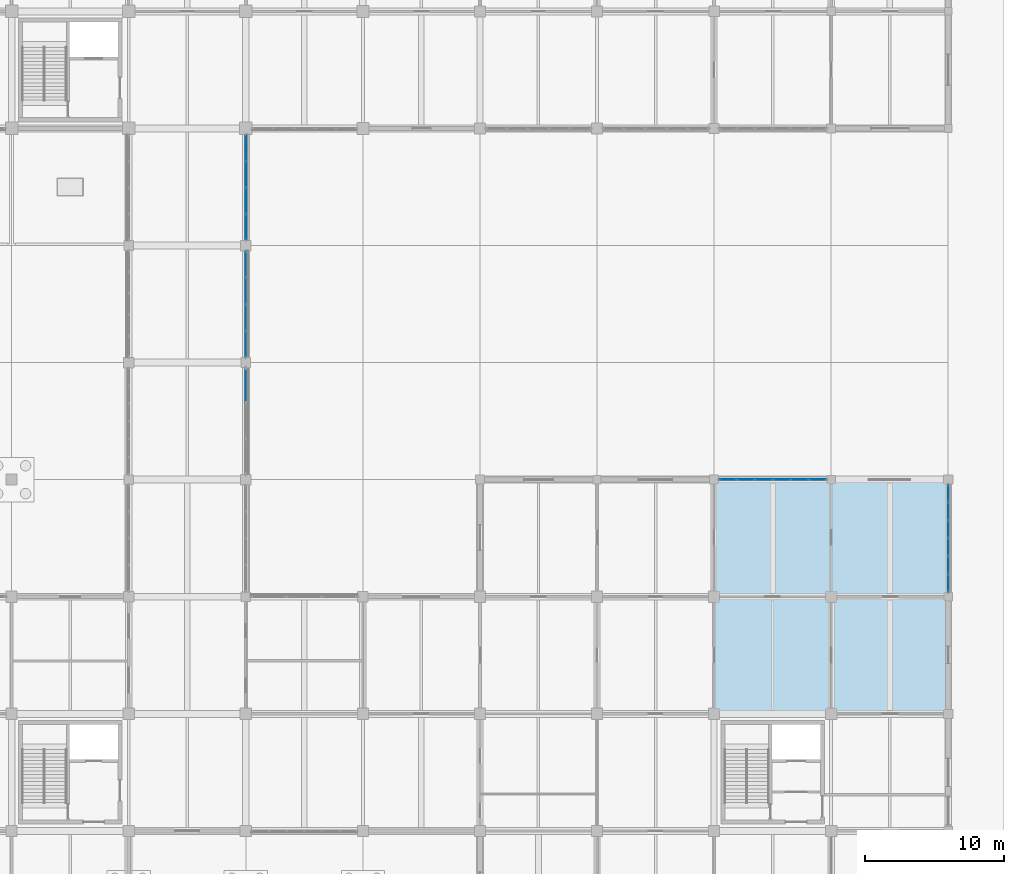
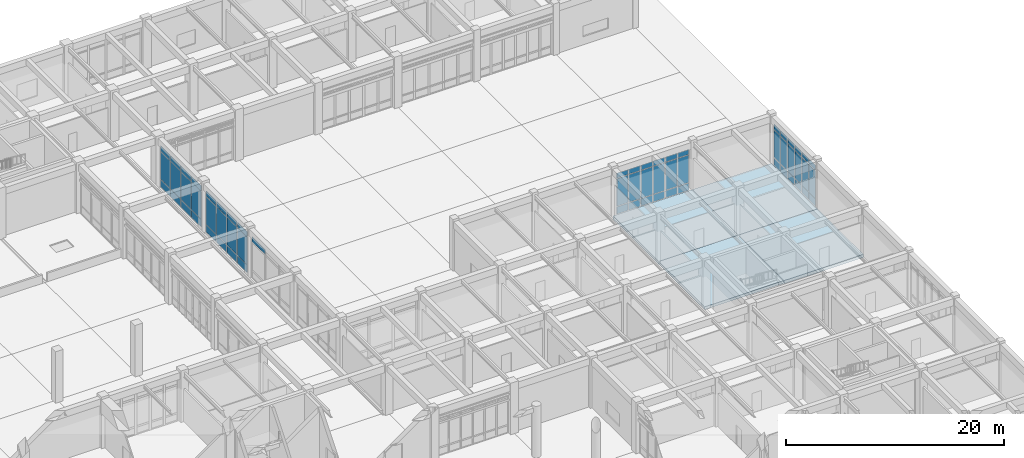
# One storey, part 62 of 91: 61 plates, 4 slabs, 5 elements without a shape of their own.
"""IFC4 building model written with IfcOpenShell, lengths in metres."""

from ifc_helpers import new_model, si_unit, direction, frame, origin, origin_2d, place, context, subcontext, project, spatial, polyline, rectangle, outline, extrude, material, layer, layer_set, type_object, element, aggregate, save


model = new_model("IFC4")

# Units and contexts
model_context = context("Model", 3, precision=1e-05, world=origin(), true_north=direction((0.0, 1.0)))
body_context = subcontext(model_context, "Body", "Model", "MODEL_VIEW")
ifc_project = project(units=[si_unit("LENGTHUNIT", "METRE"), si_unit("AREAUNIT", "SQUARE_METRE"), si_unit("VOLUMEUNIT", "CUBIC_METRE"), si_unit("PLANEANGLEUNIT", "RADIAN"), si_unit("MASSUNIT", "GRAM", prefix="KILO")], contexts=[model_context])

# Site, building, storey
site_placement = place(None, origin())
site = spatial("IfcSite", under=ifc_project, at=site_placement, CompositionType="ELEMENT")
building_placement = place(site_placement, origin())
building = spatial("IfcBuilding", under=site, at=building_placement, Name="Porcellanite Civic Hall", CompositionType="ELEMENT")
storey_placement = place(building_placement, origin())
storey = spatial("IfcBuildingStorey", under=building, at=storey_placement, Name="L00", CompositionType="ELEMENT", Elevation=0.0)

# Curtain wall, plate
ifc_material_1 = material(Name="Anodised aluminium and solar laminated glass", Category="aluminium")
ifc_layer_1 = layer(ifc_material_1, 0.179931640625)
ifc_layer_set_1 = layer_set([ifc_layer_1], Name="Anodised aluminium and solar laminated glass")
curtain_wall_type_1 = type_object("IfcCurtainWallType", Name="CW-SYS08", PredefinedType="NOTDEFINED", material=ifc_layer_set_1)
curtain_wall_1_placement = place(storey_placement, origin())
curtain_wall_1 = element("IfcCurtainWall", 1, at=curtain_wall_1_placement, inside=storey, type_object=curtain_wall_type_1, Name="Curtain wall CW-040", PredefinedType="NOTDEFINED")
ifc_material_2 = material(Name="Cyclone laminated solar-control low-E glass", Category="glass")
ifc_layer_2 = layer(ifc_material_2, 0.02392578125)
ifc_layer_set_2 = layer_set([ifc_layer_2], Name="Cyclone laminated solar-control low-E glass")
plate_type_1 = type_object("IfcPlateType", Name="CWP-01", PredefinedType="CURTAIN_PANEL", material=ifc_layer_set_2)
plate_1_placement = place(storey_placement, frame((126.0, 82.35009765625, 4.0849609375), z_axis=(0.0, 0.0, 1.0), x_axis=(0.0, -1.0, 0.0)))
plate_1 = element("IfcPlate", 2, at=plate_1_placement, type_object=plate_type_1, Name="CW-040 panel 1.3", PredefinedType="CURTAIN_PANEL", context=body_context, shape_type="SweptSolid", body=[
    extrude(rectangle(XDim=2.437744140625, YDim=0.02392578125, at=origin_2d()), origin(), (0.0, 0.0, 1.0), 0.544921875),
])
aggregate(curtain_wall_1, [plate_1])

# Curtain wall, plates
ifc_material_3 = material(Name="Anodised aluminium and solar laminated glass", Category="aluminium")
ifc_layer_3 = layer(ifc_material_3, 0.179931640625)
ifc_layer_set_3 = layer_set([ifc_layer_3], Name="Anodised aluminium and solar laminated glass")
curtain_wall_type_2 = type_object("IfcCurtainWallType", Name="CW-SYS02", PredefinedType="NOTDEFINED", material=ifc_layer_set_3)
curtain_wall_2_placement = place(storey_placement, origin())
curtain_wall_2 = element("IfcCurtainWall", 3, at=curtain_wall_2_placement, inside=storey, type_object=curtain_wall_type_2, Name="Curtain wall CW-054", PredefinedType="NOTDEFINED")
ifc_material_4 = material(Name="Cyclone laminated solar-control low-E glass", Category="glass")
ifc_layer_4 = layer(ifc_material_4, 0.02587890625)
ifc_layer_set_4 = layer_set([ifc_layer_4], Name="Cyclone laminated solar-control low-E glass")
plate_type_2 = type_object("IfcPlateType", Name="CWP-02", PredefinedType="CURTAIN_PANEL", material=ifc_layer_set_4)
plate_2_placement = place(storey_placement, frame((160.592529296875, 75.60009765625, 0.06494140625), z_axis=(0.0, 0.0, 1.0), x_axis=(1.0, 0.0, 0.0)))
plate_2 = element("IfcPlate", 4, at=plate_2_placement, type_object=plate_type_2, Name="CW-054 panel 1.1", PredefinedType="CURTAIN_PANEL", context=body_context, shape_type="SweptSolid", body=[
    extrude(rectangle(XDim=1.18310546875, YDim=0.02587890625, at=origin_2d()), origin(), (0.0, 0.0, 1.0), 0.802490234375),
])
plate_3_placement = place(storey_placement, frame((160.592529296875, 75.60009765625, 0.9326171875), z_axis=(0.0, 0.0, 1.0), x_axis=(1.0, 0.0, 0.0)))
plate_3 = element("IfcPlate", 5, at=plate_3_placement, type_object=plate_type_2, Name="CW-054 panel 1.2", PredefinedType="CURTAIN_PANEL", context=body_context, shape_type="SweptSolid", body=[
    extrude(rectangle(XDim=1.18310546875, YDim=0.02587890625, at=origin_2d()), origin(), (0.0, 0.0, 1.0), 3.0849609375),
])
plate_4_placement = place(storey_placement, frame((160.592529296875, 75.60009765625, 4.08251953125), z_axis=(0.0, 0.0, 1.0), x_axis=(1.0, 0.0, 0.0)))
plate_4 = element("IfcPlate", 6, at=plate_4_placement, type_object=plate_type_2, Name="CW-054 panel 1.3", PredefinedType="CURTAIN_PANEL", context=body_context, shape_type="SweptSolid", body=[
    extrude(rectangle(XDim=1.18310546875, YDim=0.02587890625, at=origin_2d()), origin(), (0.0, 0.0, 1.0), 0.552490234375),
])
plate_5_placement = place(storey_placement, frame((161.869140625, 75.60009765625, 0.06494140625), z_axis=(0.0, 0.0, 1.0), x_axis=(1.0, 0.0, 0.0)))
plate_5 = element("IfcPlate", 7, at=plate_5_placement, type_object=plate_type_2, Name="CW-054 panel 2.1", PredefinedType="CURTAIN_PANEL", context=body_context, shape_type="SweptSolid", body=[
    extrude(rectangle(XDim=1.220458984375, YDim=0.02587890625, at=origin_2d()), origin(), (0.0, 0.0, 1.0), 0.802490234375),
])
plate_6_placement = place(storey_placement, frame((161.869140625, 75.60009765625, 0.9326171875), z_axis=(0.0, 0.0, 1.0), x_axis=(1.0, 0.0, 0.0)))
plate_6 = element("IfcPlate", 8, at=plate_6_placement, type_object=plate_type_2, Name="CW-054 panel 2.2", PredefinedType="CURTAIN_PANEL", context=body_context, shape_type="SweptSolid", body=[
    extrude(rectangle(XDim=1.220458984375, YDim=0.02587890625, at=origin_2d()), origin(), (0.0, 0.0, 1.0), 3.0849609375),
])
plate_7_placement = place(storey_placement, frame((161.869140625, 75.60009765625, 4.08251953125), z_axis=(0.0, 0.0, 1.0), x_axis=(1.0, 0.0, 0.0)))
plate_7 = element("IfcPlate", 9, at=plate_7_placement, type_object=plate_type_2, Name="CW-054 panel 2.3", PredefinedType="CURTAIN_PANEL", context=body_context, shape_type="SweptSolid", body=[
    extrude(rectangle(XDim=1.220458984375, YDim=0.02587890625, at=origin_2d()), origin(), (0.0, 0.0, 1.0), 0.552490234375),
])
plate_8_placement = place(storey_placement, frame((163.164794921875, 75.60009765625, 0.06494140625), z_axis=(0.0, 0.0, 1.0), x_axis=(1.0, 0.0, 0.0)))
plate_8 = element("IfcPlate", 10, at=plate_8_placement, type_object=plate_type_2, Name="CW-054 panel 3.1", PredefinedType="CURTAIN_PANEL", context=body_context, shape_type="SweptSolid", body=[
    extrude(rectangle(XDim=1.220458984375, YDim=0.02587890625, at=origin_2d()), origin(), (0.0, 0.0, 1.0), 0.802490234375),
])
plate_9_placement = place(storey_placement, frame((163.164794921875, 75.60009765625, 0.9326171875), z_axis=(0.0, 0.0, 1.0), x_axis=(1.0, 0.0, 0.0)))
plate_9 = element("IfcPlate", 11, at=plate_9_placement, type_object=plate_type_2, Name="CW-054 panel 3.2", PredefinedType="CURTAIN_PANEL", context=body_context, shape_type="SweptSolid", body=[
    extrude(rectangle(XDim=1.220458984375, YDim=0.02587890625, at=origin_2d()), origin(), (0.0, 0.0, 1.0), 3.0849609375),
])
plate_10_placement = place(storey_placement, frame((163.164794921875, 75.60009765625, 4.08251953125), z_axis=(0.0, 0.0, 1.0), x_axis=(1.0, 0.0, 0.0)))
plate_10 = element("IfcPlate", 12, at=plate_10_placement, type_object=plate_type_2, Name="CW-054 panel 3.3", PredefinedType="CURTAIN_PANEL", context=body_context, shape_type="SweptSolid", body=[
    extrude(rectangle(XDim=1.220458984375, YDim=0.02587890625, at=origin_2d()), origin(), (0.0, 0.0, 1.0), 0.552490234375),
])
plate_11_placement = place(storey_placement, frame((164.460205078125, 75.60009765625, 0.06494140625), z_axis=(0.0, 0.0, 1.0), x_axis=(1.0, 0.0, 0.0)))
plate_11 = element("IfcPlate", 13, at=plate_11_placement, type_object=plate_type_2, Name="CW-054 panel 4.1", PredefinedType="CURTAIN_PANEL", context=body_context, shape_type="SweptSolid", body=[
    extrude(rectangle(XDim=1.220458984375, YDim=0.02587890625, at=origin_2d()), origin(), (0.0, 0.0, 1.0), 0.802490234375),
])
plate_12_placement = place(storey_placement, frame((164.460205078125, 75.60009765625, 0.9326171875), z_axis=(0.0, 0.0, 1.0), x_axis=(1.0, 0.0, 0.0)))
plate_12 = element("IfcPlate", 14, at=plate_12_placement, type_object=plate_type_2, Name="CW-054 panel 4.2", PredefinedType="CURTAIN_PANEL", context=body_context, shape_type="SweptSolid", body=[
    extrude(rectangle(XDim=1.220458984375, YDim=0.02587890625, at=origin_2d()), origin(), (0.0, 0.0, 1.0), 3.0849609375),
])
plate_13_placement = place(storey_placement, frame((164.460205078125, 75.60009765625, 4.08251953125), z_axis=(0.0, 0.0, 1.0), x_axis=(1.0, 0.0, 0.0)))
plate_13 = element("IfcPlate", 15, at=plate_13_placement, type_object=plate_type_2, Name="CW-054 panel 4.3", PredefinedType="CURTAIN_PANEL", context=body_context, shape_type="SweptSolid", body=[
    extrude(rectangle(XDim=1.220458984375, YDim=0.02587890625, at=origin_2d()), origin(), (0.0, 0.0, 1.0), 0.552490234375),
])
plate_14_placement = place(storey_placement, frame((165.755859375, 75.60009765625, 0.06494140625), z_axis=(0.0, 0.0, 1.0), x_axis=(1.0, 0.0, 0.0)))
plate_14 = element("IfcPlate", 16, at=plate_14_placement, type_object=plate_type_2, Name="CW-054 panel 5.1", PredefinedType="CURTAIN_PANEL", context=body_context, shape_type="SweptSolid", body=[
    extrude(rectangle(XDim=1.220458984375, YDim=0.02587890625, at=origin_2d()), origin(), (0.0, 0.0, 1.0), 0.802490234375),
])
plate_15_placement = place(storey_placement, frame((165.755859375, 75.60009765625, 0.9326171875), z_axis=(0.0, 0.0, 1.0), x_axis=(1.0, 0.0, 0.0)))
plate_15 = element("IfcPlate", 17, at=plate_15_placement, type_object=plate_type_2, Name="CW-054 panel 5.2", PredefinedType="CURTAIN_PANEL", context=body_context, shape_type="SweptSolid", body=[
    extrude(rectangle(XDim=1.220458984375, YDim=0.02587890625, at=origin_2d()), origin(), (0.0, 0.0, 1.0), 3.0849609375),
])
plate_16_placement = place(storey_placement, frame((165.755859375, 75.60009765625, 4.08251953125), z_axis=(0.0, 0.0, 1.0), x_axis=(1.0, 0.0, 0.0)))
plate_16 = element("IfcPlate", 18, at=plate_16_placement, type_object=plate_type_2, Name="CW-054 panel 5.3", PredefinedType="CURTAIN_PANEL", context=body_context, shape_type="SweptSolid", body=[
    extrude(rectangle(XDim=1.220458984375, YDim=0.02587890625, at=origin_2d()), origin(), (0.0, 0.0, 1.0), 0.552490234375),
])
plate_17_placement = place(storey_placement, frame((167.032470703125, 75.60009765625, 0.06494140625), z_axis=(0.0, 0.0, 1.0), x_axis=(1.0, 0.0, 0.0)))
plate_17 = element("IfcPlate", 19, at=plate_17_placement, type_object=plate_type_2, Name="CW-054 panel 6.1", PredefinedType="CURTAIN_PANEL", context=body_context, shape_type="SweptSolid", body=[
    extrude(rectangle(XDim=1.18310546875, YDim=0.02587890625, at=origin_2d()), origin(), (0.0, 0.0, 1.0), 0.802490234375),
])
plate_18_placement = place(storey_placement, frame((167.032470703125, 75.60009765625, 0.9326171875), z_axis=(0.0, 0.0, 1.0), x_axis=(1.0, 0.0, 0.0)))
plate_18 = element("IfcPlate", 20, at=plate_18_placement, type_object=plate_type_2, Name="CW-054 panel 6.2", PredefinedType="CURTAIN_PANEL", context=body_context, shape_type="SweptSolid", body=[
    extrude(rectangle(XDim=1.18310546875, YDim=0.02587890625, at=origin_2d()), origin(), (0.0, 0.0, 1.0), 3.0849609375),
])
plate_19_placement = place(storey_placement, frame((167.032470703125, 75.60009765625, 4.08251953125), z_axis=(0.0, 0.0, 1.0), x_axis=(1.0, 0.0, 0.0)))
plate_19 = element("IfcPlate", 21, at=plate_19_placement, type_object=plate_type_2, Name="CW-054 panel 6.3", PredefinedType="CURTAIN_PANEL", context=body_context, shape_type="SweptSolid", body=[
    extrude(rectangle(XDim=1.18310546875, YDim=0.02587890625, at=origin_2d()), origin(), (0.0, 0.0, 1.0), 0.552490234375),
])
aggregate(curtain_wall_2, [plate_2, plate_3, plate_4, plate_5, plate_6, plate_7, plate_8, plate_9, plate_10, plate_11, plate_12, plate_13, plate_14, plate_15, plate_16, plate_17, plate_18, plate_19])

curtain_wall_3_placement = place(storey_placement, origin())
curtain_wall_3 = element("IfcCurtainWall", 22, at=curtain_wall_3_placement, inside=storey, type_object=curtain_wall_type_2, Name="Curtain wall CW-059", PredefinedType="NOTDEFINED")
plate_20_placement = place(storey_placement, frame((176.39990234375, 74.607421875, 0.06494140625), z_axis=(0.0, 0.0, 1.0), x_axis=(0.0, -1.0, 0.0)))
plate_20 = element("IfcPlate", 23, at=plate_20_placement, type_object=plate_type_2, Name="CW-059 panel 1.1", PredefinedType="CURTAIN_PANEL", context=body_context, shape_type="SweptSolid", body=[
    extrude(rectangle(XDim=1.18310546875, YDim=0.02587890625, at=origin_2d()), origin(), (0.0, 0.0, 1.0), 0.802490234375),
])
plate_21_placement = place(storey_placement, frame((176.39990234375, 74.607421875, 0.9326171875), z_axis=(0.0, 0.0, 1.0), x_axis=(0.0, -1.0, 0.0)))
plate_21 = element("IfcPlate", 24, at=plate_21_placement, type_object=plate_type_2, Name="CW-059 panel 1.2", PredefinedType="CURTAIN_PANEL", context=body_context, shape_type="SweptSolid", body=[
    extrude(rectangle(XDim=1.18310546875, YDim=0.02587890625, at=origin_2d()), origin(), (0.0, 0.0, 1.0), 3.0849609375),
])
plate_22_placement = place(storey_placement, frame((176.39990234375, 74.607421875, 4.08251953125), z_axis=(0.0, 0.0, 1.0), x_axis=(0.0, -1.0, 0.0)))
plate_22 = element("IfcPlate", 25, at=plate_22_placement, type_object=plate_type_2, Name="CW-059 panel 1.3", PredefinedType="CURTAIN_PANEL", context=body_context, shape_type="SweptSolid", body=[
    extrude(rectangle(XDim=1.18310546875, YDim=0.02587890625, at=origin_2d()), origin(), (0.0, 0.0, 1.0), 0.552490234375),
])
plate_23_placement = place(storey_placement, frame((176.39990234375, 73.330810546875, 0.06494140625), z_axis=(0.0, 0.0, 1.0), x_axis=(0.0, -1.0, 0.0)))
plate_23 = element("IfcPlate", 26, at=plate_23_placement, type_object=plate_type_2, Name="CW-059 panel 2.1", PredefinedType="CURTAIN_PANEL", context=body_context, shape_type="SweptSolid", body=[
    extrude(rectangle(XDim=1.220458984375, YDim=0.02587890625, at=origin_2d()), origin(), (0.0, 0.0, 1.0), 0.802490234375),
])
plate_24_placement = place(storey_placement, frame((176.39990234375, 73.330810546875, 0.9326171875), z_axis=(0.0, 0.0, 1.0), x_axis=(0.0, -1.0, 0.0)))
plate_24 = element("IfcPlate", 27, at=plate_24_placement, type_object=plate_type_2, Name="CW-059 panel 2.2", PredefinedType="CURTAIN_PANEL", context=body_context, shape_type="SweptSolid", body=[
    extrude(rectangle(XDim=1.220458984375, YDim=0.02587890625, at=origin_2d()), origin(), (0.0, 0.0, 1.0), 3.0849609375),
])
plate_25_placement = place(storey_placement, frame((176.39990234375, 73.330810546875, 4.08251953125), z_axis=(0.0, 0.0, 1.0), x_axis=(0.0, -1.0, 0.0)))
plate_25 = element("IfcPlate", 28, at=plate_25_placement, type_object=plate_type_2, Name="CW-059 panel 2.3", PredefinedType="CURTAIN_PANEL", context=body_context, shape_type="SweptSolid", body=[
    extrude(rectangle(XDim=1.220458984375, YDim=0.02587890625, at=origin_2d()), origin(), (0.0, 0.0, 1.0), 0.552490234375),
])
plate_26_placement = place(storey_placement, frame((176.39990234375, 72.03515625, 0.06494140625), z_axis=(0.0, 0.0, 1.0), x_axis=(0.0, -1.0, 0.0)))
plate_26 = element("IfcPlate", 29, at=plate_26_placement, type_object=plate_type_2, Name="CW-059 panel 3.1", PredefinedType="CURTAIN_PANEL", context=body_context, shape_type="SweptSolid", body=[
    extrude(rectangle(XDim=1.220458984375, YDim=0.02587890625, at=origin_2d()), origin(), (0.0, 0.0, 1.0), 0.802490234375),
])
plate_27_placement = place(storey_placement, frame((176.39990234375, 72.03515625, 0.9326171875), z_axis=(0.0, 0.0, 1.0), x_axis=(0.0, -1.0, 0.0)))
plate_27 = element("IfcPlate", 30, at=plate_27_placement, type_object=plate_type_2, Name="CW-059 panel 3.2", PredefinedType="CURTAIN_PANEL", context=body_context, shape_type="SweptSolid", body=[
    extrude(rectangle(XDim=1.220458984375, YDim=0.02587890625, at=origin_2d()), origin(), (0.0, 0.0, 1.0), 3.0849609375),
])
plate_28_placement = place(storey_placement, frame((176.39990234375, 72.03515625, 4.08251953125), z_axis=(0.0, 0.0, 1.0), x_axis=(0.0, -1.0, 0.0)))
plate_28 = element("IfcPlate", 31, at=plate_28_placement, type_object=plate_type_2, Name="CW-059 panel 3.3", PredefinedType="CURTAIN_PANEL", context=body_context, shape_type="SweptSolid", body=[
    extrude(rectangle(XDim=1.220458984375, YDim=0.02587890625, at=origin_2d()), origin(), (0.0, 0.0, 1.0), 0.552490234375),
])
plate_29_placement = place(storey_placement, frame((176.39990234375, 70.73974609375, 0.06494140625), z_axis=(0.0, 0.0, 1.0), x_axis=(0.0, -1.0, 0.0)))
plate_29 = element("IfcPlate", 32, at=plate_29_placement, type_object=plate_type_2, Name="CW-059 panel 4.1", PredefinedType="CURTAIN_PANEL", context=body_context, shape_type="SweptSolid", body=[
    extrude(rectangle(XDim=1.220458984375, YDim=0.02587890625, at=origin_2d()), origin(), (0.0, 0.0, 1.0), 0.802490234375),
])
plate_30_placement = place(storey_placement, frame((176.39990234375, 70.73974609375, 0.9326171875), z_axis=(0.0, 0.0, 1.0), x_axis=(0.0, -1.0, 0.0)))
plate_30 = element("IfcPlate", 33, at=plate_30_placement, type_object=plate_type_2, Name="CW-059 panel 4.2", PredefinedType="CURTAIN_PANEL", context=body_context, shape_type="SweptSolid", body=[
    extrude(rectangle(XDim=1.220458984375, YDim=0.02587890625, at=origin_2d()), origin(), (0.0, 0.0, 1.0), 3.0849609375),
])
plate_31_placement = place(storey_placement, frame((176.39990234375, 70.73974609375, 4.08251953125), z_axis=(0.0, 0.0, 1.0), x_axis=(0.0, -1.0, 0.0)))
plate_31 = element("IfcPlate", 34, at=plate_31_placement, type_object=plate_type_2, Name="CW-059 panel 4.3", PredefinedType="CURTAIN_PANEL", context=body_context, shape_type="SweptSolid", body=[
    extrude(rectangle(XDim=1.220458984375, YDim=0.02587890625, at=origin_2d()), origin(), (0.0, 0.0, 1.0), 0.552490234375),
])
plate_32_placement = place(storey_placement, frame((176.39990234375, 69.4443359375, 0.06494140625), z_axis=(0.0, 0.0, 1.0), x_axis=(0.0, -1.0, 0.0)))
plate_32 = element("IfcPlate", 35, at=plate_32_placement, type_object=plate_type_2, Name="CW-059 panel 5.1", PredefinedType="CURTAIN_PANEL", context=body_context, shape_type="SweptSolid", body=[
    extrude(rectangle(XDim=1.220458984375, YDim=0.02587890625, at=origin_2d()), origin(), (0.0, 0.0, 1.0), 0.802490234375),
])
plate_33_placement = place(storey_placement, frame((176.39990234375, 69.4443359375, 0.9326171875), z_axis=(0.0, 0.0, 1.0), x_axis=(0.0, -1.0, 0.0)))
plate_33 = element("IfcPlate", 36, at=plate_33_placement, type_object=plate_type_2, Name="CW-059 panel 5.2", PredefinedType="CURTAIN_PANEL", context=body_context, shape_type="SweptSolid", body=[
    extrude(rectangle(XDim=1.220458984375, YDim=0.02587890625, at=origin_2d()), origin(), (0.0, 0.0, 1.0), 3.0849609375),
])
plate_34_placement = place(storey_placement, frame((176.39990234375, 69.4443359375, 4.08251953125), z_axis=(0.0, 0.0, 1.0), x_axis=(0.0, -1.0, 0.0)))
plate_34 = element("IfcPlate", 37, at=plate_34_placement, type_object=plate_type_2, Name="CW-059 panel 5.3", PredefinedType="CURTAIN_PANEL", context=body_context, shape_type="SweptSolid", body=[
    extrude(rectangle(XDim=1.220458984375, YDim=0.02587890625, at=origin_2d()), origin(), (0.0, 0.0, 1.0), 0.552490234375),
])
plate_35_placement = place(storey_placement, frame((176.39990234375, 68.16748046875, 0.06494140625), z_axis=(0.0, 0.0, 1.0), x_axis=(0.0, -1.0, 0.0)))
plate_35 = element("IfcPlate", 38, at=plate_35_placement, type_object=plate_type_2, Name="CW-059 panel 6.1", PredefinedType="CURTAIN_PANEL", context=body_context, shape_type="SweptSolid", body=[
    extrude(rectangle(XDim=1.18310546875, YDim=0.02587890625, at=origin_2d()), origin(), (0.0, 0.0, 1.0), 0.802490234375),
])
plate_36_placement = place(storey_placement, frame((176.39990234375, 68.16748046875, 0.9326171875), z_axis=(0.0, 0.0, 1.0), x_axis=(0.0, -1.0, 0.0)))
plate_36 = element("IfcPlate", 39, at=plate_36_placement, type_object=plate_type_2, Name="CW-059 panel 6.2", PredefinedType="CURTAIN_PANEL", context=body_context, shape_type="SweptSolid", body=[
    extrude(rectangle(XDim=1.18310546875, YDim=0.02587890625, at=origin_2d()), origin(), (0.0, 0.0, 1.0), 3.0849609375),
])
plate_37_placement = place(storey_placement, frame((176.39990234375, 68.16748046875, 4.08251953125), z_axis=(0.0, 0.0, 1.0), x_axis=(0.0, -1.0, 0.0)))
plate_37 = element("IfcPlate", 40, at=plate_37_placement, type_object=plate_type_2, Name="CW-059 panel 6.3", PredefinedType="CURTAIN_PANEL", context=body_context, shape_type="SweptSolid", body=[
    extrude(rectangle(XDim=1.18310546875, YDim=0.02587890625, at=origin_2d()), origin(), (0.0, 0.0, 1.0), 0.552490234375),
])
aggregate(curtain_wall_3, [plate_20, plate_21, plate_22, plate_23, plate_24, plate_25, plate_26, plate_27, plate_28, plate_29, plate_30, plate_31, plate_32, plate_33, plate_34, plate_35, plate_36, plate_37])

ifc_material_5 = material(Name="Anodised aluminium and solar laminated glass", Category="aluminium")
ifc_layer_5 = layer(ifc_material_5, 0.179931640625)
ifc_layer_set_5 = layer_set([ifc_layer_5], Name="Anodised aluminium and solar laminated glass")
curtain_wall_type_3 = type_object("IfcCurtainWallType", Name="CW-SYS03", PredefinedType="NOTDEFINED", material=ifc_layer_set_5)
curtain_wall_4_placement = place(storey_placement, origin())
curtain_wall_4 = element("IfcCurtainWall", 41, at=curtain_wall_4_placement, inside=storey, type_object=curtain_wall_type_3, Name="Curtain wall CW-042", PredefinedType="NOTDEFINED")
ifc_material_6 = material(Name="Cyclone laminated solar-control low-E glass", Category="glass")
ifc_layer_6 = layer(ifc_material_6, 0.028076171875)
ifc_layer_set_6 = layer_set([ifc_layer_6], Name="Cyclone laminated solar-control low-E glass")
plate_type_3 = type_object("IfcPlateType", Name="CWP-03", PredefinedType="CURTAIN_PANEL", material=ifc_layer_set_6)
plate_38_placement = place(storey_placement, frame((126.0, 91.044921875, 0.05517578125), z_axis=(0.0, 0.0, 1.0), x_axis=(0.0, -1.0, 0.0)))
plate_38 = element("IfcPlate", 42, at=plate_38_placement, type_object=plate_type_3, Name="CW-042 panel 1.1", PredefinedType="CURTAIN_PANEL", context=body_context, shape_type="SweptSolid", body=[
    extrude(rectangle(XDim=1.79833984375, YDim=0.028076171875, at=origin_2d()), origin(), (0.0, 0.0, 1.0), 0.8173828125),
])
plate_39_placement = place(storey_placement, frame((126.0, 91.044921875, 0.927734375), z_axis=(0.0, 0.0, 1.0), x_axis=(0.0, -1.0, 0.0)))
plate_39 = element("IfcPlate", 43, at=plate_39_placement, type_object=plate_type_3, Name="CW-042 panel 1.2", PredefinedType="CURTAIN_PANEL", context=body_context, shape_type="SweptSolid", body=[
    extrude(rectangle(XDim=1.79833984375, YDim=0.028076171875, at=origin_2d()), origin(), (0.0, 0.0, 1.0), 3.094970703125),
])
plate_40_placement = place(storey_placement, frame((126.0, 91.044921875, 4.07763671875), z_axis=(0.0, 0.0, 1.0), x_axis=(0.0, -1.0, 0.0)))
plate_40 = element("IfcPlate", 44, at=plate_40_placement, type_object=plate_type_3, Name="CW-042 panel 1.3", PredefinedType="CURTAIN_PANEL", context=body_context, shape_type="SweptSolid", body=[
    extrude(rectangle(XDim=1.79833984375, YDim=0.028076171875, at=origin_2d()), origin(), (0.0, 0.0, 1.0), 0.5673828125),
])
plate_41_placement = place(storey_placement, frame((126.0, 89.146728515625, 0.05517578125), z_axis=(0.0, 0.0, 1.0), x_axis=(0.0, -1.0, 0.0)))
plate_41 = element("IfcPlate", 45, at=plate_41_placement, type_object=plate_type_3, Name="CW-042 panel 2.1", PredefinedType="CURTAIN_PANEL", context=body_context, shape_type="SweptSolid", body=[
    extrude(rectangle(XDim=1.838134765625, YDim=0.028076171875, at=origin_2d()), origin(), (0.0, 0.0, 1.0), 0.8173828125),
])
plate_42_placement = place(storey_placement, frame((126.0, 89.146728515625, 0.927734375), z_axis=(0.0, 0.0, 1.0), x_axis=(0.0, -1.0, 0.0)))
plate_42 = element("IfcPlate", 46, at=plate_42_placement, type_object=plate_type_3, Name="CW-042 panel 2.2", PredefinedType="CURTAIN_PANEL", context=body_context, shape_type="SweptSolid", body=[
    extrude(rectangle(XDim=1.838134765625, YDim=0.028076171875, at=origin_2d()), origin(), (0.0, 0.0, 1.0), 3.094970703125),
])
plate_43_placement = place(storey_placement, frame((126.0, 89.146728515625, 4.07763671875), z_axis=(0.0, 0.0, 1.0), x_axis=(0.0, -1.0, 0.0)))
plate_43 = element("IfcPlate", 47, at=plate_43_placement, type_object=plate_type_3, Name="CW-042 panel 2.3", PredefinedType="CURTAIN_PANEL", context=body_context, shape_type="SweptSolid", body=[
    extrude(rectangle(XDim=1.838134765625, YDim=0.028076171875, at=origin_2d()), origin(), (0.0, 0.0, 1.0), 0.5673828125),
])
plate_44_placement = place(storey_placement, frame((126.0, 87.228271484375, 0.05517578125), z_axis=(0.0, 0.0, 1.0), x_axis=(0.0, -1.0, 0.0)))
plate_44 = element("IfcPlate", 48, at=plate_44_placement, type_object=plate_type_3, Name="CW-042 panel 3.1", PredefinedType="CURTAIN_PANEL", context=body_context, shape_type="SweptSolid", body=[
    extrude(rectangle(XDim=1.838134765625, YDim=0.028076171875, at=origin_2d()), origin(), (0.0, 0.0, 1.0), 0.8173828125),
])
plate_45_placement = place(storey_placement, frame((126.0, 87.228271484375, 0.927734375), z_axis=(0.0, 0.0, 1.0), x_axis=(0.0, -1.0, 0.0)))
plate_45 = element("IfcPlate", 49, at=plate_45_placement, type_object=plate_type_3, Name="CW-042 panel 3.2", PredefinedType="CURTAIN_PANEL", context=body_context, shape_type="SweptSolid", body=[
    extrude(rectangle(XDim=1.838134765625, YDim=0.028076171875, at=origin_2d()), origin(), (0.0, 0.0, 1.0), 3.094970703125),
])
plate_46_placement = place(storey_placement, frame((126.0, 87.228271484375, 4.07763671875), z_axis=(0.0, 0.0, 1.0), x_axis=(0.0, -1.0, 0.0)))
plate_46 = element("IfcPlate", 50, at=plate_46_placement, type_object=plate_type_3, Name="CW-042 panel 3.3", PredefinedType="CURTAIN_PANEL", context=body_context, shape_type="SweptSolid", body=[
    extrude(rectangle(XDim=1.838134765625, YDim=0.028076171875, at=origin_2d()), origin(), (0.0, 0.0, 1.0), 0.5673828125),
])
plate_47_placement = place(storey_placement, frame((126.0, 85.330078125, 0.05517578125), z_axis=(0.0, 0.0, 1.0), x_axis=(0.0, -1.0, 0.0)))
plate_47 = element("IfcPlate", 51, at=plate_47_placement, type_object=plate_type_3, Name="CW-042 panel 4.1", PredefinedType="CURTAIN_PANEL", context=body_context, shape_type="SweptSolid", body=[
    extrude(rectangle(XDim=1.79833984375, YDim=0.028076171875, at=origin_2d()), origin(), (0.0, 0.0, 1.0), 0.8173828125),
])
plate_48_placement = place(storey_placement, frame((126.0, 85.330078125, 0.927734375), z_axis=(0.0, 0.0, 1.0), x_axis=(0.0, -1.0, 0.0)))
plate_48 = element("IfcPlate", 52, at=plate_48_placement, type_object=plate_type_3, Name="CW-042 panel 4.2", PredefinedType="CURTAIN_PANEL", context=body_context, shape_type="SweptSolid", body=[
    extrude(rectangle(XDim=1.79833984375, YDim=0.028076171875, at=origin_2d()), origin(), (0.0, 0.0, 1.0), 3.094970703125),
])
plate_49_placement = place(storey_placement, frame((126.0, 85.330078125, 4.07763671875), z_axis=(0.0, 0.0, 1.0), x_axis=(0.0, -1.0, 0.0)))
plate_49 = element("IfcPlate", 53, at=plate_49_placement, type_object=plate_type_3, Name="CW-042 panel 4.3", PredefinedType="CURTAIN_PANEL", context=body_context, shape_type="SweptSolid", body=[
    extrude(rectangle(XDim=1.79833984375, YDim=0.028076171875, at=origin_2d()), origin(), (0.0, 0.0, 1.0), 0.5673828125),
])
aggregate(curtain_wall_4, [plate_38, plate_39, plate_40, plate_41, plate_42, plate_43, plate_44, plate_45, plate_46, plate_47, plate_48, plate_49])

ifc_material_7 = material(Name="Anodised aluminium and solar laminated glass", Category="aluminium")
ifc_layer_7 = layer(ifc_material_7, 0.179931640625)
ifc_layer_set_7 = layer_set([ifc_layer_7], Name="Anodised aluminium and solar laminated glass")
curtain_wall_type_4 = type_object("IfcCurtainWallType", Name="CW-SYS06", PredefinedType="NOTDEFINED", material=ifc_layer_set_7)
curtain_wall_5_placement = place(storey_placement, origin())
curtain_wall_5 = element("IfcCurtainWall", 54, at=curtain_wall_5_placement, inside=storey, type_object=curtain_wall_type_4, Name="Curtain wall CW-044", PredefinedType="NOTDEFINED")
ifc_material_8 = material(Name="Cyclone laminated solar-control low-E glass", Category="glass")
ifc_layer_8 = layer(ifc_material_8, 0.031982421875)
ifc_layer_set_8 = layer_set([ifc_layer_8], Name="Cyclone laminated solar-control low-E glass")
plate_type_4 = type_object("IfcPlateType", Name="CWP-05", PredefinedType="CURTAIN_PANEL", material=ifc_layer_set_8)
plate_50_placement = place(storey_placement, frame((126.0, 99.38623046875, 0.0498046875), z_axis=(0.0, 0.0, 1.0), x_axis=(0.0, -1.0, 0.0)))
plate_50 = element("IfcPlate", 55, at=plate_50_placement, type_object=plate_type_4, Name="CW-044 panel 1.1", PredefinedType="CURTAIN_PANEL", context=body_context, shape_type="SweptSolid", body=[
    extrude(rectangle(XDim=1.795654296875, YDim=0.031982421875, at=origin_2d()), origin(), (0.0, 0.0, 1.0), 0.824951171875),
])
plate_51_placement = place(storey_placement, frame((126.0, 99.38623046875, 0.925048828125), z_axis=(0.0, 0.0, 1.0), x_axis=(0.0, -1.0, 0.0)))
plate_51 = element("IfcPlate", 56, at=plate_51_placement, type_object=plate_type_4, Name="CW-044 panel 1.2", PredefinedType="CURTAIN_PANEL", context=body_context, shape_type="SweptSolid", body=[
    extrude(rectangle(XDim=1.795654296875, YDim=0.031982421875, at=origin_2d()), origin(), (0.0, 0.0, 1.0), 3.10009765625),
])
plate_52_placement = place(storey_placement, frame((126.0, 99.38623046875, 4.0751953125), z_axis=(0.0, 0.0, 1.0), x_axis=(0.0, -1.0, 0.0)))
plate_52 = element("IfcPlate", 57, at=plate_52_placement, type_object=plate_type_4, Name="CW-044 panel 1.3", PredefinedType="CURTAIN_PANEL", context=body_context, shape_type="SweptSolid", body=[
    extrude(rectangle(XDim=1.795654296875, YDim=0.031982421875, at=origin_2d()), origin(), (0.0, 0.0, 1.0), 0.574951171875),
])
plate_53_placement = place(storey_placement, frame((126.0, 97.509033203125, 0.0498046875), z_axis=(0.0, 0.0, 1.0), x_axis=(0.0, -1.0, 0.0)))
plate_53 = element("IfcPlate", 58, at=plate_53_placement, type_object=plate_type_4, Name="CW-044 panel 2.1", PredefinedType="CURTAIN_PANEL", context=body_context, shape_type="SweptSolid", body=[
    extrude(rectangle(XDim=1.828369140625, YDim=0.031982421875, at=origin_2d()), origin(), (0.0, 0.0, 1.0), 0.824951171875),
])
plate_54_placement = place(storey_placement, frame((126.0, 97.509033203125, 0.925048828125), z_axis=(0.0, 0.0, 1.0), x_axis=(0.0, -1.0, 0.0)))
plate_54 = element("IfcPlate", 59, at=plate_54_placement, type_object=plate_type_4, Name="CW-044 panel 2.2", PredefinedType="CURTAIN_PANEL", context=body_context, shape_type="SweptSolid", body=[
    extrude(rectangle(XDim=1.828369140625, YDim=0.031982421875, at=origin_2d()), origin(), (0.0, 0.0, 1.0), 3.10009765625),
])
plate_55_placement = place(storey_placement, frame((126.0, 97.509033203125, 4.0751953125), z_axis=(0.0, 0.0, 1.0), x_axis=(0.0, -1.0, 0.0)))
plate_55 = element("IfcPlate", 60, at=plate_55_placement, type_object=plate_type_4, Name="CW-044 panel 2.3", PredefinedType="CURTAIN_PANEL", context=body_context, shape_type="SweptSolid", body=[
    extrude(rectangle(XDim=1.828369140625, YDim=0.031982421875, at=origin_2d()), origin(), (0.0, 0.0, 1.0), 0.574951171875),
])
plate_56_placement = place(storey_placement, frame((126.0, 95.615966796875, 0.0498046875), z_axis=(0.0, 0.0, 1.0), x_axis=(0.0, -1.0, 0.0)))
plate_56 = element("IfcPlate", 61, at=plate_56_placement, type_object=plate_type_4, Name="CW-044 panel 3.1", PredefinedType="CURTAIN_PANEL", context=body_context, shape_type="SweptSolid", body=[
    extrude(rectangle(XDim=1.828369140625, YDim=0.031982421875, at=origin_2d()), origin(), (0.0, 0.0, 1.0), 0.824951171875),
])
plate_57_placement = place(storey_placement, frame((126.0, 95.615966796875, 0.925048828125), z_axis=(0.0, 0.0, 1.0), x_axis=(0.0, -1.0, 0.0)))
plate_57 = element("IfcPlate", 62, at=plate_57_placement, type_object=plate_type_4, Name="CW-044 panel 3.2", PredefinedType="CURTAIN_PANEL", context=body_context, shape_type="SweptSolid", body=[
    extrude(rectangle(XDim=1.828369140625, YDim=0.031982421875, at=origin_2d()), origin(), (0.0, 0.0, 1.0), 3.10009765625),
])
plate_58_placement = place(storey_placement, frame((126.0, 95.615966796875, 4.0751953125), z_axis=(0.0, 0.0, 1.0), x_axis=(0.0, -1.0, 0.0)))
plate_58 = element("IfcPlate", 63, at=plate_58_placement, type_object=plate_type_4, Name="CW-044 panel 3.3", PredefinedType="CURTAIN_PANEL", context=body_context, shape_type="SweptSolid", body=[
    extrude(rectangle(XDim=1.828369140625, YDim=0.031982421875, at=origin_2d()), origin(), (0.0, 0.0, 1.0), 0.574951171875),
])
plate_59_placement = place(storey_placement, frame((126.0, 93.73876953125, 0.0498046875), z_axis=(0.0, 0.0, 1.0), x_axis=(0.0, -1.0, 0.0)))
plate_59 = element("IfcPlate", 64, at=plate_59_placement, type_object=plate_type_4, Name="CW-044 panel 4.1", PredefinedType="CURTAIN_PANEL", context=body_context, shape_type="SweptSolid", body=[
    extrude(rectangle(XDim=1.795654296875, YDim=0.031982421875, at=origin_2d()), origin(), (0.0, 0.0, 1.0), 0.824951171875),
])
plate_60_placement = place(storey_placement, frame((126.0, 93.73876953125, 0.925048828125), z_axis=(0.0, 0.0, 1.0), x_axis=(0.0, -1.0, 0.0)))
plate_60 = element("IfcPlate", 65, at=plate_60_placement, type_object=plate_type_4, Name="CW-044 panel 4.2", PredefinedType="CURTAIN_PANEL", context=body_context, shape_type="SweptSolid", body=[
    extrude(rectangle(XDim=1.795654296875, YDim=0.031982421875, at=origin_2d()), origin(), (0.0, 0.0, 1.0), 3.10009765625),
])
plate_61_placement = place(storey_placement, frame((126.0, 93.73876953125, 4.0751953125), z_axis=(0.0, 0.0, 1.0), x_axis=(0.0, -1.0, 0.0)))
plate_61 = element("IfcPlate", 66, at=plate_61_placement, type_object=plate_type_4, Name="CW-044 panel 4.3", PredefinedType="CURTAIN_PANEL", context=body_context, shape_type="SweptSolid", body=[
    extrude(rectangle(XDim=1.795654296875, YDim=0.031982421875, at=origin_2d()), origin(), (0.0, 0.0, 1.0), 0.574951171875),
])
aggregate(curtain_wall_5, [plate_50, plate_51, plate_52, plate_53, plate_54, plate_55, plate_56, plate_57, plate_58, plate_59, plate_60, plate_61])

# Slabs
ifc_material_9 = material(Name="Concrete N40 (40 MPa)", Category="concrete")
ifc_layer_9 = layer(ifc_material_9, 0.35009765625)
ifc_layer_set_9 = layer_set([ifc_layer_9], Name="Concrete N40 (40 MPa)")
slab_type_1 = type_object("IfcSlabType", Name="SL-BASE350", PredefinedType="BASESLAB", material=ifc_layer_set_9)
slab_1_placement = place(storey_placement, frame((0.0, 0.0, -0.35009765625)))
element("IfcSlab", 67, at=slab_1_placement, inside=storey, type_object=slab_type_1, Name="Slab L00 bay 20-9", PredefinedType="BASESLAB", context=body_context, shape_type="SweptSolid", body=[
    extrude(outline(polyline([(159.60009765625, 67.199951171875), (168.0, 67.199951171875), (168.0, 75.60009765625), (159.60009765625, 75.60009765625), (159.60009765625, 67.199951171875)])), origin(), (0.0, 0.0, 1.0), 0.35009765625),
])
slab_2_placement = place(storey_placement, frame((0.0, 0.0, -0.35009765625)))
element("IfcSlab", 68, at=slab_2_placement, inside=storey, type_object=slab_type_1, Name="Slab L00 bay 21-8", PredefinedType="BASESLAB", context=body_context, shape_type="SweptSolid", body=[
    extrude(outline(polyline([(168.0, 58.800048828125), (176.39990234375, 58.800048828125), (176.39990234375, 67.199951171875), (168.0, 67.199951171875), (168.0, 58.800048828125)])), origin(), (0.0, 0.0, 1.0), 0.35009765625),
])
slab_3_placement = place(storey_placement, frame((0.0, 0.0, -0.35009765625)))
element("IfcSlab", 69, at=slab_3_placement, inside=storey, type_object=slab_type_1, Name="Slab L00 bay 21-9", PredefinedType="BASESLAB", context=body_context, shape_type="SweptSolid", body=[
    extrude(outline(polyline([(168.0, 67.199951171875), (176.39990234375, 67.199951171875), (176.39990234375, 75.60009765625), (168.0, 75.60009765625), (168.0, 67.199951171875)])), origin(), (0.0, 0.0, 1.0), 0.35009765625),
])
ifc_material_10 = material(Name="Concrete N40 (40 MPa)", Category="concrete")
ifc_layer_10 = layer(ifc_material_10, 0.300048828125)
ifc_layer_set_10 = layer_set([ifc_layer_10], Name="Concrete N40 (40 MPa)")
slab_type_2 = type_object("IfcSlabType", Name="SL-TR300", PredefinedType="FLOOR", material=ifc_layer_set_10)
slab_4_placement = place(storey_placement, frame((0.0, 0.0, -0.300048828125)))
element("IfcSlab", 70, at=slab_4_placement, inside=storey, type_object=slab_type_2, Name="Slab L00 bay 20-8", PredefinedType="FLOOR", context=body_context, shape_type="SweptSolid", body=[
    extrude(outline(polyline([(159.60009765625, 58.800048828125), (168.0, 58.800048828125), (168.0, 67.199951171875), (159.60009765625, 67.199951171875), (159.60009765625, 58.800048828125)])), origin(), (0.0, 0.0, 1.0), 0.300048828125),
])

save(model, "model.ifc")
